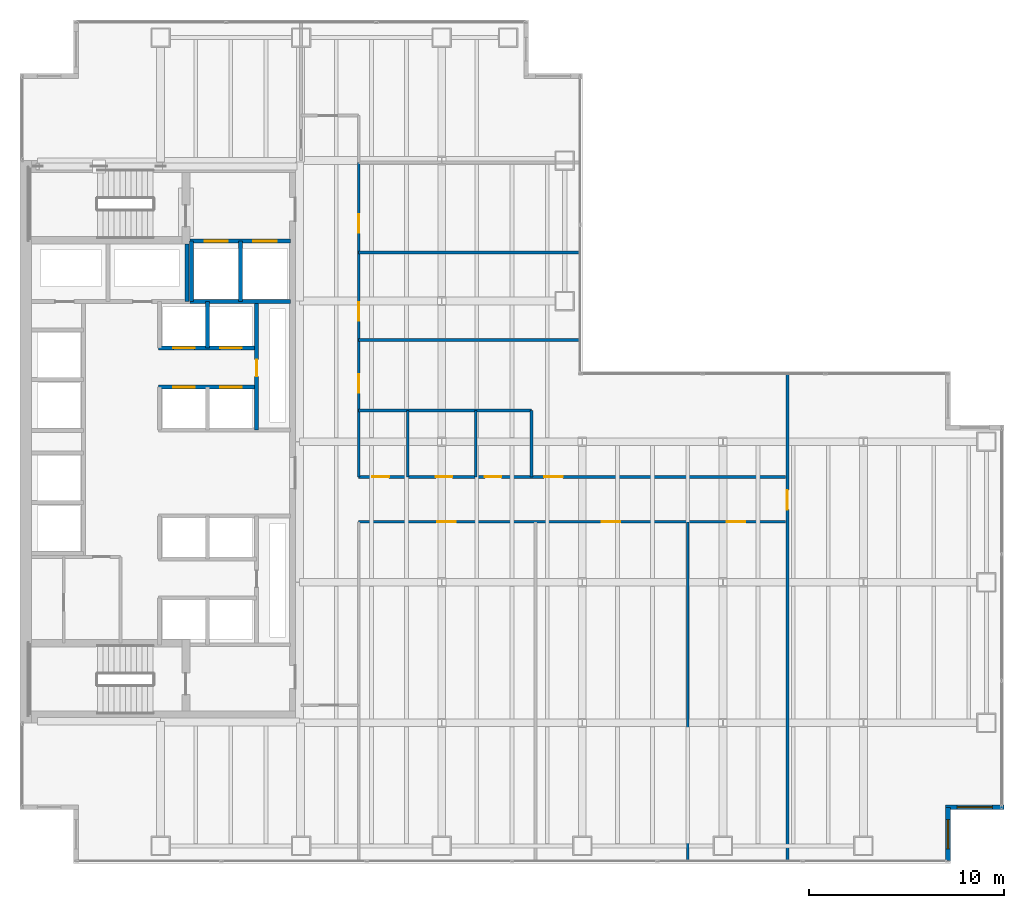
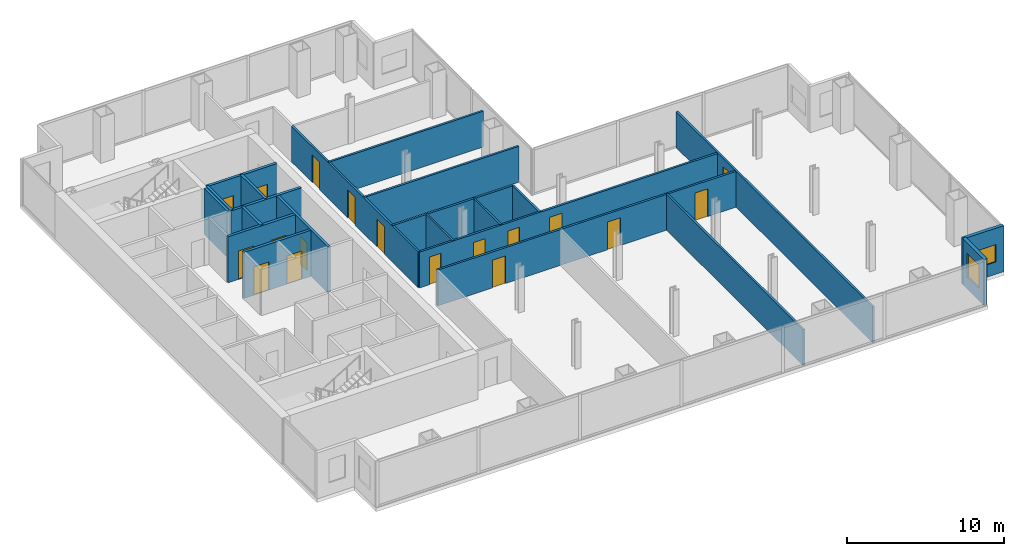
# One storey, part 21 of 23: 22 walls, 18 doors, 2 windows, 20 openings.
"""IFC4 building model written with IfcOpenShell, lengths in metres."""

from ifc_helpers import new_model, si_unit, direction, frame, frame_2d, origin, place, context, subcontext, project, spatial, rectangle, extrude, material, layer, layer_set, type_object, element, fill, save


model = new_model("IFC4")

# Units and contexts
model_context = context("Model", 3, precision=1e-05, world=origin(), true_north=direction((0.0, 1.0)))
body_context = subcontext(model_context, "Body", "Model", "MODEL_VIEW")
ifc_project = project(units=[si_unit("LENGTHUNIT", "METRE"), si_unit("AREAUNIT", "SQUARE_METRE"), si_unit("VOLUMEUNIT", "CUBIC_METRE"), si_unit("PLANEANGLEUNIT", "RADIAN"), si_unit("MASSUNIT", "GRAM", prefix="KILO")], contexts=[model_context])

# Site, building, storey
site_placement = place(None, origin())
site = spatial("IfcSite", under=ifc_project, at=site_placement, CompositionType="ELEMENT")
building_placement = place(site_placement, origin())
building = spatial("IfcBuilding", under=site, at=building_placement, Name="Cobrela Telecom Tower", CompositionType="ELEMENT")
storey_placement = place(building_placement, frame((0.0, 0.0, 73.5)))
storey = spatial("IfcBuildingStorey", under=building, at=storey_placement, Name="L18", CompositionType="ELEMENT", Elevation=73.5)

# Wall, opening, window
ifc_material_1 = material(Name="Concrete C40/50", Category="concrete")
ifc_layer_1 = layer(ifc_material_1, 0.239990234375)
ifc_layer_set_1 = layer_set([ifc_layer_1], Name="Concrete C40/50")
wall_type_1 = type_object("IfcWallType", Name="WALL-EXT-300", PredefinedType="STANDARD", material=ifc_layer_set_1)
wall_1_placement = place(storey_placement, frame((50.39990234375, 2.8701171875, 0.0), z_axis=(0.0, 0.0, 1.0), x_axis=(-1.0, 0.0, 0.0)))
wall_1 = element("IfcWall", 1, at=wall_1_placement, inside=storey, type_object=wall_type_1, Name="L18 Insulated Facade Wall 15", PredefinedType="STANDARD", context=body_context, shape_type="SweptSolid", body=[
    extrude(rectangle(XDim=2.989990234375, YDim=0.239990234375, at=frame_2d((1.4951171875, 0.0))), origin(), (0.0, 0.0, 1.0), 3.570068359375),
])
opening_1_placement = place(wall_1_placement, frame((0.594970703125, 0.0, 0.949951171875)))
opening_1 = element("IfcOpeningElement", 2, at=opening_1_placement, cuts=wall_1, Name="Opening WN-27", PredefinedType="OPENING", context=body_context, shape_type="SweptSolid", body=[
    extrude(rectangle(XDim=1.800048828125, YDim=1.35009765625, at=frame_2d((0.89990234375, 0.675048828125))), frame((0.0, 0.1318359375, 0.0), z_axis=(0.0, -1.0, 0.0), x_axis=(1.0, 0.0, 0.0)), (0.0, 0.0, 1.0), 0.263916015625),
])
ifc_material_2 = material(Name="Solar-Control Bronze Low-E Glass", Category="glass")
window_type_1 = type_object("IfcWindowType", Name="WIN-CLER-1800", PartitioningType="SINGLE_PANEL", PredefinedType="WINDOW", material=ifc_material_2)
window_1_placement = place(opening_1_placement, origin())
window_1 = element("IfcWindow", 3, at=window_1_placement, inside=storey, type_object=window_type_1, Name="L18 Corner Notch Facade Window 088", OverallHeight=1.35009765625, OverallWidth=1.800048828125, PartitioningType="SINGLE_PANEL", PredefinedType="WINDOW", context=body_context, shape_type="SweptSolid", body=[
    extrude(rectangle(XDim=1.800048828125, YDim=1.35009765625, at=frame_2d((0.89990234375, 0.675048828125))), frame((0.0, 0.030029296875, 0.0), z_axis=(0.0, -1.0, 0.0), x_axis=(1.0, 0.0, 0.0)), (0.0, 0.0, 1.0), 0.06005859375),
])
fill(opening_1, window_1)

wall_2_placement = place(storey_placement, frame((47.530029296875, 2.8701171875, 0.0), z_axis=(0.0, 0.0, 1.0), x_axis=(0.0, -1.0, 0.0)))
wall_2 = element("IfcWall", 4, at=wall_2_placement, inside=storey, type_object=wall_type_1, Name="L18 Insulated Facade Wall 16", PredefinedType="STANDARD", context=body_context, shape_type="SweptSolid", body=[
    extrude(rectangle(XDim=2.75, YDim=0.239990234375, at=frame_2d((1.375, 0.0))), origin(), (0.0, 0.0, 1.0), 3.570068359375),
])
opening_2_placement = place(wall_2_placement, frame((0.625, 0.0, 0.949951171875)))
opening_2 = element("IfcOpeningElement", 5, at=opening_2_placement, cuts=wall_2, Name="Opening WN-45", PredefinedType="OPENING", context=body_context, shape_type="SweptSolid", body=[
    extrude(rectangle(XDim=1.5, YDim=1.800048828125, at=frame_2d((0.75, 0.89990234375))), frame((0.0, 0.1318359375, 0.0), z_axis=(0.0, -1.0, 0.0), x_axis=(1.0, 0.0, 0.0)), (0.0, 0.0, 1.0), 0.263916015625),
])
window_type_2 = type_object("IfcWindowType", Name="WIN-MOD-1500", PartitioningType="SINGLE_PANEL", PredefinedType="WINDOW", material=ifc_material_2)
window_2_placement = place(opening_2_placement, origin())
window_2 = element("IfcWindow", 6, at=window_2_placement, inside=storey, type_object=window_type_2, Name="L18 Corner Notch Facade Window 089", OverallHeight=1.800048828125, OverallWidth=1.5, PartitioningType="SINGLE_PANEL", PredefinedType="WINDOW", context=body_context, shape_type="SweptSolid", body=[
    extrude(rectangle(XDim=1.5, YDim=1.800048828125, at=frame_2d((0.75, 0.89990234375))), frame((0.0, 0.030029296875, 0.0), z_axis=(0.0, -1.0, 0.0), x_axis=(1.0, 0.0, 0.0)), (0.0, 0.0, 1.0), 0.06005859375),
])
fill(opening_2, window_2)

# Walls
ifc_material_3 = material(Name="Fire-Rated Gypsum Plasterboard")
ifc_layer_2 = layer(ifc_material_3, 0.125)
ifc_layer_set_2 = layer_set([ifc_layer_2], Name="Fire-Rated Gypsum Plasterboard")
wall_type_2 = type_object("IfcWallType", Name="WALL-PART-125", PredefinedType="PARTITIONING", material=ifc_layer_set_2)
for number, where, z_axis, x_axis, name in (
    (7, (19.85009765625, 19.800048828125, 0.0), (0.0, 0.0, 1.0), (0.0, 1.0, 0.0), "L18 Interior Partition W-WCV-1"),
    (8, (23.35009765625, 19.800048828125, 0.0), (0.0, 0.0, 1.0), (0.0, 1.0, 0.0), "L18 Interior Partition W-WCV-2"),
):
    element("IfcWall", number, at=place(storey_placement, frame(where, z_axis=z_axis, x_axis=x_axis)), inside=storey, type_object=wall_type_2, Name=name, PredefinedType="PARTITIONING", context=body_context, shape_type="SweptSolid", body=[
        extrude(rectangle(XDim=3.39990234375, YDim=0.125, at=frame_2d((1.699951171875, 0.0))), origin(), (0.0, 0.0, 1.0), 2.782958984375),
    ])

# Wall, openings, doors
ifc_layer_3 = layer(ifc_material_3, 0.14990234375)
ifc_layer_set_3 = layer_set([ifc_layer_3], Name="Fire-Rated Gypsum Plasterboard")
wall_type_3 = type_object("IfcWallType", Name="WALL-PART-150", PredefinedType="PARTITIONING", material=ifc_layer_set_3)
wall_3_placement = place(storey_placement, frame((17.35009765625, 19.800048828125, 0.0), z_axis=(0.0, 0.0, 1.0), x_axis=(0.0, 1.0, 0.0)))
wall_3 = element("IfcWall", 9, at=wall_3_placement, inside=storey, type_object=wall_type_3, Name="L18 Interior Partition W-C-E2", PredefinedType="PARTITIONING", context=body_context, shape_type="SweptSolid", body=[
    extrude(rectangle(XDim=16.099853515625, YDim=0.14990234375, at=frame_2d((8.0498046875, 0.0))), origin(), (0.0, 0.0, 1.0), 2.782958984375),
])
opening_3_placement = place(wall_3_placement, frame((4.300048828125, 0.0, 0.0)))
opening_3 = element("IfcOpeningElement", 10, at=opening_3_placement, cuts=wall_3, Name="Opening DR-67", PredefinedType="OPENING", context=body_context, shape_type="SweptSolid", body=[
    extrude(rectangle(XDim=0.949951171875, YDim=2.14990234375, at=frame_2d((0.47509765625, 1.074951171875))), frame((0.0, 0.0869140625, 0.0), z_axis=(0.0, -1.0, 0.0), x_axis=(1.0, 0.0, 0.0)), (0.0, 0.0, 1.0), 0.173828125),
])
opening_4_placement = place(wall_3_placement, frame((8.0, 0.0, 0.0)))
opening_4 = element("IfcOpeningElement", 11, at=opening_4_placement, cuts=wall_3, Name="Opening DR-67", PredefinedType="OPENING", context=body_context, shape_type="SweptSolid", body=[
    extrude(rectangle(XDim=0.949951171875, YDim=2.14990234375, at=frame_2d((0.47509765625, 1.074951171875))), frame((0.0, 0.0869140625, 0.0), z_axis=(0.0, -1.0, 0.0), x_axis=(1.0, 0.0, 0.0)), (0.0, 0.0, 1.0), 0.173828125),
])
opening_5_placement = place(wall_3_placement, frame((12.5, 0.0, 0.0)))
opening_5 = element("IfcOpeningElement", 12, at=opening_5_placement, cuts=wall_3, Name="Opening DR-67", PredefinedType="OPENING", context=body_context, shape_type="SweptSolid", body=[
    extrude(rectangle(XDim=0.949951171875, YDim=2.14990234375, at=frame_2d((0.47509765625, 1.074951171875))), frame((0.0, 0.0869140625, 0.0), z_axis=(0.0, -1.0, 0.0), x_axis=(1.0, 0.0, 0.0)), (0.0, 0.0, 1.0), 0.173828125),
])
ifc_material_4 = material(Name="Solid Engineered Oak Timber", Category="wood")
door_type_1 = type_object("IfcDoorType", Name="DOOR-INT-950", OperationType="SINGLE_SWING_LEFT", PredefinedType="DOOR", material=ifc_material_4)
door_1_placement = place(opening_3_placement, origin())
door_1 = element("IfcDoor", 13, at=door_1_placement, inside=storey, type_object=door_type_1, Name="L18 Door DR-67", OperationType="SINGLE_SWING_RIGHT", OverallHeight=2.14990234375, OverallWidth=0.949951171875, PredefinedType="DOOR", context=body_context, shape_type="SweptSolid", body=[
    extrude(rectangle(XDim=0.949951171875, YDim=2.14990234375, at=frame_2d((0.47509765625, 1.074951171875))), frame((0.0, 0.02490234375, 0.0), z_axis=(0.0, -1.0, 0.0), x_axis=(1.0, 0.0, 0.0)), (0.0, 0.0, 1.0), 0.050048828125),
])
fill(opening_3, door_1)
door_2_placement = place(opening_4_placement, origin())
door_2 = element("IfcDoor", 14, at=door_2_placement, inside=storey, type_object=door_type_1, Name="L18 Door DR-67", OperationType="SINGLE_SWING_LEFT", OverallHeight=2.14990234375, OverallWidth=0.949951171875, PredefinedType="DOOR", context=body_context, shape_type="SweptSolid", body=[
    extrude(rectangle(XDim=0.949951171875, YDim=2.14990234375, at=frame_2d((0.47509765625, 1.074951171875))), frame((0.0, 0.02490234375, 0.0), z_axis=(0.0, -1.0, 0.0), x_axis=(1.0, 0.0, 0.0)), (0.0, 0.0, 1.0), 0.050048828125),
])
fill(opening_4, door_2)
door_3_placement = place(opening_5_placement, origin())
door_3 = element("IfcDoor", 15, at=door_3_placement, inside=storey, type_object=door_type_1, Name="L18 Door DR-67", OperationType="SINGLE_SWING_RIGHT", OverallHeight=2.14990234375, OverallWidth=0.949951171875, PredefinedType="DOOR", context=body_context, shape_type="SweptSolid", body=[
    extrude(rectangle(XDim=0.949951171875, YDim=2.14990234375, at=frame_2d((0.47509765625, 1.074951171875))), frame((0.0, 0.02490234375, 0.0), z_axis=(0.0, -1.0, 0.0), x_axis=(1.0, 0.0, 0.0)), (0.0, 0.0, 1.0), 0.050048828125),
])
fill(opening_5, door_3)

wall_4_placement = place(storey_placement, frame((17.35009765625, 17.5, 0.0), z_axis=(0.0, 0.0, 1.0), x_axis=(1.0, 0.0, 0.0)))
wall_4 = element("IfcWall", 16, at=wall_4_placement, inside=storey, type_object=wall_type_3, Name="L18 Interior Partition W-C-HS", PredefinedType="PARTITIONING", context=body_context, shape_type="SweptSolid", body=[
    extrude(rectangle(XDim=21.849853515625, YDim=0.14990234375, at=frame_2d((10.9248046875, 0.0))), origin(), (0.0, 0.0, 1.0), 2.782958984375),
])
opening_6_placement = place(wall_4_placement, frame((4.02001953125, 0.0, 0.0)))
opening_6 = element("IfcOpeningElement", 17, at=opening_6_placement, cuts=wall_4, Name="Opening DR-67", PredefinedType="OPENING", context=body_context, shape_type="SweptSolid", body=[
    extrude(rectangle(XDim=0.949951171875, YDim=2.14990234375, at=frame_2d((0.47509765625, 1.074951171875))), frame((0.0, 0.0869140625, 0.0), z_axis=(0.0, -1.0, 0.0), x_axis=(1.0, 0.0, 0.0)), (0.0, 0.0, 1.0), 0.173828125),
])
opening_7_placement = place(wall_4_placement, frame((12.449951171875, 0.0, 0.0)))
opening_7 = element("IfcOpeningElement", 18, at=opening_7_placement, cuts=wall_4, Name="Opening DR-67", PredefinedType="OPENING", context=body_context, shape_type="SweptSolid", body=[
    extrude(rectangle(XDim=0.949951171875, YDim=2.14990234375, at=frame_2d((0.47509765625, 1.074951171875))), frame((0.0, 0.0869140625, 0.0), z_axis=(0.0, -1.0, 0.0), x_axis=(1.0, 0.0, 0.0)), (0.0, 0.0, 1.0), 0.173828125),
])
opening_8_placement = place(wall_4_placement, frame((18.85009765625, 0.0, 0.0)))
opening_8 = element("IfcOpeningElement", 19, at=opening_8_placement, cuts=wall_4, Name="Opening DR-67", PredefinedType="OPENING", context=body_context, shape_type="SweptSolid", body=[
    extrude(rectangle(XDim=0.949951171875, YDim=2.14990234375, at=frame_2d((0.47509765625, 1.074951171875))), frame((0.0, 0.0869140625, 0.0), z_axis=(0.0, -1.0, 0.0), x_axis=(1.0, 0.0, 0.0)), (0.0, 0.0, 1.0), 0.173828125),
])
door_4_placement = place(opening_6_placement, origin())
door_4 = element("IfcDoor", 20, at=door_4_placement, inside=storey, type_object=door_type_1, Name="L18 Door DR-67", OperationType="SINGLE_SWING_LEFT", OverallHeight=2.14990234375, OverallWidth=0.949951171875, PredefinedType="DOOR", context=body_context, shape_type="SweptSolid", body=[
    extrude(rectangle(XDim=0.949951171875, YDim=2.14990234375, at=frame_2d((0.47509765625, 1.074951171875))), frame((0.0, 0.02490234375, 0.0), z_axis=(0.0, -1.0, 0.0), x_axis=(1.0, 0.0, 0.0)), (0.0, 0.0, 1.0), 0.050048828125),
])
fill(opening_6, door_4)
door_5_placement = place(opening_7_placement, origin())
door_5 = element("IfcDoor", 21, at=door_5_placement, inside=storey, type_object=door_type_1, Name="L18 Door DR-67", OperationType="SINGLE_SWING_RIGHT", OverallHeight=2.14990234375, OverallWidth=0.949951171875, PredefinedType="DOOR", context=body_context, shape_type="SweptSolid", body=[
    extrude(rectangle(XDim=0.949951171875, YDim=2.14990234375, at=frame_2d((0.47509765625, 1.074951171875))), frame((0.0, 0.02490234375, 0.0), z_axis=(0.0, -1.0, 0.0), x_axis=(1.0, 0.0, 0.0)), (0.0, 0.0, 1.0), 0.050048828125),
])
fill(opening_7, door_5)
door_6_placement = place(opening_8_placement, origin())
door_6 = element("IfcDoor", 22, at=door_6_placement, inside=storey, type_object=door_type_1, Name="L18 Door DR-67", OperationType="SINGLE_SWING_LEFT", OverallHeight=2.14990234375, OverallWidth=0.949951171875, PredefinedType="DOOR", context=body_context, shape_type="SweptSolid", body=[
    extrude(rectangle(XDim=0.949951171875, YDim=2.14990234375, at=frame_2d((0.47509765625, 1.074951171875))), frame((0.0, 0.02490234375, 0.0), z_axis=(0.0, -1.0, 0.0), x_axis=(1.0, 0.0, 0.0)), (0.0, 0.0, 1.0), 0.050048828125),
])
fill(opening_8, door_6)

wall_5_placement = place(storey_placement, frame((17.35009765625, 19.800048828125, 0.0), z_axis=(0.0, 0.0, 1.0), x_axis=(1.0, 0.0, 0.0)))
wall_5 = element("IfcWall", 23, at=wall_5_placement, inside=storey, type_object=wall_type_3, Name="L18 Interior Partition W-C-HN", PredefinedType="PARTITIONING", context=body_context, shape_type="SweptSolid", body=[
    extrude(rectangle(XDim=21.849853515625, YDim=0.14990234375, at=frame_2d((10.9248046875, 0.0))), origin(), (0.0, 0.0, 1.0), 2.782958984375),
])
opening_9_placement = place(wall_5_placement, frame((0.699951171875, 0.0, 0.0)))
opening_9 = element("IfcOpeningElement", 24, at=opening_9_placement, cuts=wall_5, Name="Opening DR-11", PredefinedType="OPENING", context=body_context, shape_type="SweptSolid", body=[
    extrude(rectangle(XDim=0.85009765625, YDim=2.14990234375, at=frame_2d((0.425048828125, 1.074951171875))), frame((0.0, 0.0869140625, 0.0), z_axis=(0.0, -1.0, 0.0), x_axis=(1.0, 0.0, 0.0)), (0.0, 0.0, 1.0), 0.173828125),
])
opening_10_placement = place(wall_5_placement, frame((3.949951171875, 0.0, 0.0)))
opening_10 = element("IfcOpeningElement", 25, at=opening_10_placement, cuts=wall_5, Name="Opening DR-11", PredefinedType="OPENING", context=body_context, shape_type="SweptSolid", body=[
    extrude(rectangle(XDim=0.85009765625, YDim=2.14990234375, at=frame_2d((0.425048828125, 1.074951171875))), frame((0.0, 0.0869140625, 0.0), z_axis=(0.0, -1.0, 0.0), x_axis=(1.0, 0.0, 0.0)), (0.0, 0.0, 1.0), 0.173828125),
])
opening_11_placement = place(wall_5_placement, frame((6.4599609375, 0.0, 0.0)))
opening_11 = element("IfcOpeningElement", 26, at=opening_11_placement, cuts=wall_5, Name="Opening DR-11", PredefinedType="OPENING", context=body_context, shape_type="SweptSolid", body=[
    extrude(rectangle(XDim=0.85009765625, YDim=2.14990234375, at=frame_2d((0.425048828125, 1.074951171875))), frame((0.0, 0.0869140625, 0.0), z_axis=(0.0, -1.0, 0.0), x_axis=(1.0, 0.0, 0.0)), (0.0, 0.0, 1.0), 0.173828125),
])
opening_12_placement = place(wall_5_placement, frame((9.5, 0.0, 0.0)))
opening_12 = element("IfcOpeningElement", 27, at=opening_12_placement, cuts=wall_5, Name="Opening DR-67", PredefinedType="OPENING", context=body_context, shape_type="SweptSolid", body=[
    extrude(rectangle(XDim=0.949951171875, YDim=2.14990234375, at=frame_2d((0.47509765625, 1.074951171875))), frame((0.0, 0.0869140625, 0.0), z_axis=(0.0, -1.0, 0.0), x_axis=(1.0, 0.0, 0.0)), (0.0, 0.0, 1.0), 0.173828125),
])
door_type_2 = type_object("IfcDoorType", Name="DOOR-INT-850", OperationType="SINGLE_SWING_LEFT", PredefinedType="DOOR", material=ifc_material_4)
door_7_placement = place(opening_9_placement, origin())
door_7 = element("IfcDoor", 28, at=door_7_placement, inside=storey, type_object=door_type_2, Name="L18 Door DR-11", OperationType="SINGLE_SWING_LEFT", OverallHeight=2.14990234375, OverallWidth=0.85009765625, PredefinedType="DOOR", context=body_context, shape_type="SweptSolid", body=[
    extrude(rectangle(XDim=0.85009765625, YDim=2.14990234375, at=frame_2d((0.425048828125, 1.074951171875))), frame((0.0, 0.02490234375, 0.0), z_axis=(0.0, -1.0, 0.0), x_axis=(1.0, 0.0, 0.0)), (0.0, 0.0, 1.0), 0.050048828125),
])
fill(opening_9, door_7)
door_8_placement = place(opening_10_placement, origin())
door_8 = element("IfcDoor", 29, at=door_8_placement, inside=storey, type_object=door_type_2, Name="L18 Door DR-11", OperationType="SINGLE_SWING_RIGHT", OverallHeight=2.14990234375, OverallWidth=0.85009765625, PredefinedType="DOOR", context=body_context, shape_type="SweptSolid", body=[
    extrude(rectangle(XDim=0.85009765625, YDim=2.14990234375, at=frame_2d((0.425048828125, 1.074951171875))), frame((0.0, 0.02490234375, 0.0), z_axis=(0.0, -1.0, 0.0), x_axis=(1.0, 0.0, 0.0)), (0.0, 0.0, 1.0), 0.050048828125),
])
fill(opening_10, door_8)
door_9_placement = place(opening_11_placement, origin())
door_9 = element("IfcDoor", 30, at=door_9_placement, inside=storey, type_object=door_type_2, Name="L18 Door DR-11", OperationType="SINGLE_SWING_LEFT", OverallHeight=2.14990234375, OverallWidth=0.85009765625, PredefinedType="DOOR", context=body_context, shape_type="SweptSolid", body=[
    extrude(rectangle(XDim=0.85009765625, YDim=2.14990234375, at=frame_2d((0.425048828125, 1.074951171875))), frame((0.0, 0.02490234375, 0.0), z_axis=(0.0, -1.0, 0.0), x_axis=(1.0, 0.0, 0.0)), (0.0, 0.0, 1.0), 0.050048828125),
])
fill(opening_11, door_9)
door_10_placement = place(opening_12_placement, origin())
door_10 = element("IfcDoor", 31, at=door_10_placement, inside=storey, type_object=door_type_1, Name="L18 Door DR-67", OperationType="SINGLE_SWING_RIGHT", OverallHeight=2.14990234375, OverallWidth=0.949951171875, PredefinedType="DOOR", context=body_context, shape_type="SweptSolid", body=[
    extrude(rectangle(XDim=0.949951171875, YDim=2.14990234375, at=frame_2d((0.47509765625, 1.074951171875))), frame((0.0, 0.02490234375, 0.0), z_axis=(0.0, -1.0, 0.0), x_axis=(1.0, 0.0, 0.0)), (0.0, 0.0, 1.0), 0.050048828125),
])
fill(opening_12, door_10)

# Wall, opening, door
wall_6_placement = place(storey_placement, frame((39.300048828125, 0.1201171875, 0.0), z_axis=(0.0, 0.0, 1.0), x_axis=(0.0, 1.0, 0.0)))
wall_6 = element("IfcWall", 32, at=wall_6_placement, inside=storey, type_object=wall_type_3, Name="L18 Interior Partition W-C-END", PredefinedType="PARTITIONING", context=body_context, shape_type="SweptSolid", body=[
    extrude(rectangle(XDim=24.9599609375, YDim=0.14990234375, at=frame_2d((12.47998046875, 0.0))), origin(), (0.0, 0.0, 1.0), 2.782958984375),
])
opening_13_placement = place(wall_6_placement, frame((18.0, 0.0, 0.0)))
opening_13 = element("IfcOpeningElement", 33, at=opening_13_placement, cuts=wall_6, Name="Opening DR-31", PredefinedType="OPENING", context=body_context, shape_type="SweptSolid", body=[
    extrude(rectangle(XDim=1.0, YDim=2.14990234375, at=frame_2d((0.5, 1.074951171875))), frame((0.0, 0.0869140625, 0.0), z_axis=(0.0, -1.0, 0.0), x_axis=(1.0, 0.0, 0.0)), (0.0, 0.0, 1.0), 0.173828125),
])
door_type_3 = type_object("IfcDoorType", Name="DOOR-INT-1000", OperationType="SINGLE_SWING_LEFT", PredefinedType="DOOR", material=ifc_material_4)
door_11_placement = place(opening_13_placement, origin())
door_11 = element("IfcDoor", 34, at=door_11_placement, inside=storey, type_object=door_type_3, Name="L18 Door DR-31", OperationType="SINGLE_SWING_LEFT", OverallHeight=2.14990234375, OverallWidth=1.0, PredefinedType="DOOR", context=body_context, shape_type="SweptSolid", body=[
    extrude(rectangle(XDim=1.0, YDim=2.14990234375, at=frame_2d((0.5, 1.074951171875))), frame((0.0, 0.02490234375, 0.0), z_axis=(0.0, -1.0, 0.0), x_axis=(1.0, 0.0, 0.0)), (0.0, 0.0, 1.0), 0.050048828125),
])
fill(opening_13, door_11)

# Walls
wall_7_placement = place(storey_placement, frame((17.35009765625, 23.199951171875, 0.0), z_axis=(0.0, 0.0, 1.0), x_axis=(1.0, 0.0, 0.0)))
element("IfcWall", 35, at=wall_7_placement, inside=storey, type_object=wall_type_3, Name="L18 Interior Partition W-WC-N", PredefinedType="PARTITIONING", context=body_context, shape_type="SweptSolid", body=[
    extrude(rectangle(XDim=8.849853515625, YDim=0.14990234375, at=frame_2d((4.4248046875, 0.0))), origin(), (0.0, 0.0, 1.0), 2.782958984375),
])
wall_8_placement = place(storey_placement, frame((26.199951171875, 19.800048828125, 0.0), z_axis=(0.0, 0.0, 1.0), x_axis=(0.0, 1.0, 0.0)))
element("IfcWall", 36, at=wall_8_placement, inside=storey, type_object=wall_type_3, Name="L18 Interior Partition W-WC-R", PredefinedType="PARTITIONING", context=body_context, shape_type="SweptSolid", body=[
    extrude(rectangle(XDim=3.39990234375, YDim=0.14990234375, at=frame_2d((1.699951171875, 0.0))), origin(), (0.0, 0.0, 1.0), 2.782958984375),
])
for number, where, z_axis, x_axis, name in (
    (37, (17.35009765625, 26.800048828125, 0.0), (0.0, 0.0, 1.0), (1.0, 0.0, 0.0), "L18 Interior Partition W-NPAN-T"),
    (38, (17.35009765625, 31.300048828125, 0.0), (0.0, 0.0, 1.0), (1.0, 0.0, 0.0), "L18 Interior Partition W-NT-M"),
):
    element("IfcWall", number, at=place(storey_placement, frame(where, z_axis=z_axis, x_axis=x_axis)), inside=storey, type_object=wall_type_3, Name=name, PredefinedType="PARTITIONING", context=body_context, shape_type="SweptSolid", body=[
        extrude(rectangle(XDim=11.329833984375, YDim=0.14990234375, at=frame_2d((5.6650390625, 0.0))), origin(), (0.0, 0.0, 1.0), 2.782958984375),
    ])
wall_9_placement = place(storey_placement, frame((34.199951171875, 0.1201171875, 0.0), z_axis=(0.0, 0.0, 1.0), x_axis=(0.0, 1.0, 0.0)))
element("IfcWall", 39, at=wall_9_placement, inside=storey, type_object=wall_type_3, Name="L18 Interior Partition W-SV-2", PredefinedType="PARTITIONING", context=body_context, shape_type="SweptSolid", body=[
    extrude(rectangle(XDim=17.3798828125, YDim=0.14990234375, at=frame_2d((8.68994140625, 0.0))), origin(), (0.0, 0.0, 1.0), 2.782958984375),
])

# Wall, openings, doors
ifc_layer_4 = layer(ifc_material_3, 0.199951171875)
ifc_layer_set_4 = layer_set([ifc_layer_4], Name="Fire-Rated Gypsum Plasterboard")
wall_type_4 = type_object("IfcWallType", Name="WALL-SHAFT-200", PredefinedType="PARTITIONING", material=ifc_layer_set_4)
wall_10_placement = place(storey_placement, frame((8.699951171875, 31.8798828125, 0.0), z_axis=(0.0, 0.0, 1.0), x_axis=(1.0, 0.0, 0.0)))
wall_10 = element("IfcWall", 40, at=wall_10_placement, inside=storey, type_object=wall_type_4, Name="L18 Shaft Enclosure CW-FFL-S", PredefinedType="PARTITIONING", context=body_context, shape_type="SweptSolid", body=[
    extrude(rectangle(XDim=5.150146484375, YDim=0.199951171875, at=frame_2d((2.5751953125, 0.0))), origin(), (0.0, 0.0, 1.0), 3.570068359375),
])
opening_14_placement = place(wall_10_placement, frame((0.75, 0.0, 0.0)))
opening_14 = element("IfcOpeningElement", 41, at=opening_14_placement, cuts=wall_10, Name="Opening LD-2", PredefinedType="OPENING", context=body_context, shape_type="SweptSolid", body=[
    extrude(rectangle(XDim=1.199951171875, YDim=2.199951171875, at=frame_2d((0.60009765625, 1.10009765625))), frame((0.0, 0.11181640625, 0.0), z_axis=(0.0, -1.0, 0.0), x_axis=(1.0, 0.0, 0.0)), (0.0, 0.0, 1.0), 0.223876953125),
])
opening_15_placement = place(wall_10_placement, frame((3.25, 0.0, 0.0)))
opening_15 = element("IfcOpeningElement", 42, at=opening_15_placement, cuts=wall_10, Name="Opening LD-2", PredefinedType="OPENING", context=body_context, shape_type="SweptSolid", body=[
    extrude(rectangle(XDim=1.199951171875, YDim=2.199951171875, at=frame_2d((0.60009765625, 1.10009765625))), frame((0.0, 0.11181640625, 0.0), z_axis=(0.0, -1.0, 0.0), x_axis=(1.0, 0.0, 0.0)), (0.0, 0.0, 1.0), 0.223876953125),
])
ifc_material_5 = material(Name="Steel ASTM A36", Category="steel")
door_type_4 = type_object("IfcDoorType", Name="DOOR-LD-FFL", OperationType="SINGLE_SWING_LEFT", PredefinedType="DOOR", material=ifc_material_5)
door_12_placement = place(opening_14_placement, origin())
door_12 = element("IfcDoor", 43, at=door_12_placement, inside=storey, type_object=door_type_4, Name="L18 Lift Landing Door LD-2", OperationType="DOUBLE_DOOR_SLIDING", OverallHeight=2.199951171875, OverallWidth=1.199951171875, PredefinedType="DOOR", context=body_context, shape_type="SweptSolid", body=[
    extrude(rectangle(XDim=1.199951171875, YDim=2.199951171875, at=frame_2d((0.60009765625, 1.10009765625))), frame((0.0, 0.02490234375, 0.0), z_axis=(0.0, -1.0, 0.0), x_axis=(1.0, 0.0, 0.0)), (0.0, 0.0, 1.0), 0.050048828125),
])
fill(opening_14, door_12)
door_13_placement = place(opening_15_placement, origin())
door_13 = element("IfcDoor", 44, at=door_13_placement, inside=storey, type_object=door_type_4, Name="L18 Lift Landing Door LD-2", OperationType="DOUBLE_DOOR_SLIDING", OverallHeight=2.199951171875, OverallWidth=1.199951171875, PredefinedType="DOOR", context=body_context, shape_type="SweptSolid", body=[
    extrude(rectangle(XDim=1.199951171875, YDim=2.199951171875, at=frame_2d((0.60009765625, 1.10009765625))), frame((0.0, 0.02490234375, 0.0), z_axis=(0.0, -1.0, 0.0), x_axis=(1.0, 0.0, 0.0)), (0.0, 0.0, 1.0), 0.050048828125),
])
fill(opening_15, door_13)

# Walls
wall_11_placement = place(storey_placement, frame((8.699951171875, 28.780029296875, 0.0), z_axis=(0.0, 0.0, 1.0), x_axis=(1.0, 0.0, 0.0)))
element("IfcWall", 45, at=wall_11_placement, inside=storey, type_object=wall_type_4, Name="L18 Shaft Enclosure CW-FFL-S2", PredefinedType="PARTITIONING", context=body_context, shape_type="SweptSolid", body=[
    extrude(rectangle(XDim=5.150146484375, YDim=0.199951171875, at=frame_2d((2.5751953125, 0.0))), origin(), (0.0, 0.0, 1.0), 3.570068359375),
])
for number, where, z_axis, x_axis, name in (
    (46, (8.780029296875, 28.780029296875, 0.0), (0.0, 0.0, 1.0), (0.0, 1.0, 0.0), "L18 Shaft Enclosure CW-FFL-W"),
    (47, (11.300048828125, 28.780029296875, 0.0), (0.0, 0.0, 1.0), (0.0, 1.0, 0.0), "L18 Shaft Enclosure CW-FFL-M"),
):
    element("IfcWall", number, at=place(storey_placement, frame(where, z_axis=z_axis, x_axis=x_axis)), inside=storey, type_object=wall_type_4, Name=name, PredefinedType="PARTITIONING", context=body_context, shape_type="SweptSolid", body=[
        extrude(rectangle(XDim=3.099853515625, YDim=0.199951171875, at=frame_2d((1.5498046875, 0.0))), origin(), (0.0, 0.0, 1.0), 3.570068359375),
    ])
wall_12_placement = place(storey_placement, frame((8.550048828125, 28.780029296875, 0.0), z_axis=(0.0, 0.0, 1.0), x_axis=(0.0, 1.0, 0.0)))
element("IfcWall", 48, at=wall_12_placement, inside=storey, type_object=wall_type_4, Name="L18 Shaft Enclosure CW-RIS-E", PredefinedType="PARTITIONING", context=body_context, shape_type="SweptSolid", body=[
    extrude(rectangle(XDim=2.93994140625, YDim=0.199951171875, at=frame_2d((1.469970703125, 0.0))), origin(), (0.0, 0.0, 1.0), 3.570068359375),
])

# Wall, openings, doors
wall_13_placement = place(storey_placement, frame((7.10009765625, 24.39990234375, 0.0), z_axis=(0.0, 0.0, 1.0), x_axis=(1.0, 0.0, 0.0)))
wall_13 = element("IfcWall", 49, at=wall_13_placement, inside=storey, type_object=wall_type_4, Name="L18 Shaft Enclosure CW-PLL-S", PredefinedType="PARTITIONING", context=body_context, shape_type="SweptSolid", body=[
    extrude(rectangle(XDim=5.02001953125, YDim=0.199951171875, at=frame_2d((2.510009765625, 0.0))), origin(), (0.0, 0.0, 1.0), 3.570068359375),
])
opening_16_placement = place(wall_13_placement, frame((0.75, 0.0, 0.0)))
opening_16 = element("IfcOpeningElement", 50, at=opening_16_placement, cuts=wall_13, Name="Opening LD-1", PredefinedType="OPENING", context=body_context, shape_type="SweptSolid", body=[
    extrude(rectangle(XDim=1.10009765625, YDim=2.199951171875, at=frame_2d((0.550048828125, 1.10009765625))), frame((0.0, 0.11181640625, 0.0), z_axis=(0.0, -1.0, 0.0), x_axis=(1.0, 0.0, 0.0)), (0.0, 0.0, 1.0), 0.223876953125),
])
opening_17_placement = place(wall_13_placement, frame((3.14990234375, 0.0, 0.0)))
opening_17 = element("IfcOpeningElement", 51, at=opening_17_placement, cuts=wall_13, Name="Opening LD-1", PredefinedType="OPENING", context=body_context, shape_type="SweptSolid", body=[
    extrude(rectangle(XDim=1.10009765625, YDim=2.199951171875, at=frame_2d((0.550048828125, 1.10009765625))), frame((0.0, 0.11181640625, 0.0), z_axis=(0.0, -1.0, 0.0), x_axis=(1.0, 0.0, 0.0)), (0.0, 0.0, 1.0), 0.223876953125),
])
door_type_5 = type_object("IfcDoorType", Name="DOOR-LD-PL", OperationType="SINGLE_SWING_LEFT", PredefinedType="DOOR", material=ifc_material_5)
door_14_placement = place(opening_16_placement, origin())
door_14 = element("IfcDoor", 52, at=door_14_placement, inside=storey, type_object=door_type_5, Name="L18 Lift Landing Door LD-1", OperationType="DOUBLE_DOOR_SLIDING", OverallHeight=2.199951171875, OverallWidth=1.10009765625, PredefinedType="DOOR", context=body_context, shape_type="SweptSolid", body=[
    extrude(rectangle(XDim=1.10009765625, YDim=2.199951171875, at=frame_2d((0.550048828125, 1.10009765625))), frame((0.0, 0.02490234375, 0.0), z_axis=(0.0, -1.0, 0.0), x_axis=(1.0, 0.0, 0.0)), (0.0, 0.0, 1.0), 0.050048828125),
])
fill(opening_16, door_14)
door_15_placement = place(opening_17_placement, origin())
door_15 = element("IfcDoor", 53, at=door_15_placement, inside=storey, type_object=door_type_5, Name="L18 Lift Landing Door LD-1", OperationType="DOUBLE_DOOR_SLIDING", OverallHeight=2.199951171875, OverallWidth=1.10009765625, PredefinedType="DOOR", context=body_context, shape_type="SweptSolid", body=[
    extrude(rectangle(XDim=1.10009765625, YDim=2.199951171875, at=frame_2d((0.550048828125, 1.10009765625))), frame((0.0, 0.02490234375, 0.0), z_axis=(0.0, -1.0, 0.0), x_axis=(1.0, 0.0, 0.0)), (0.0, 0.0, 1.0), 0.050048828125),
])
fill(opening_17, door_15)

wall_14_placement = place(storey_placement, frame((7.10009765625, 26.39990234375, 0.0), z_axis=(0.0, 0.0, 1.0), x_axis=(1.0, 0.0, 0.0)))
wall_14 = element("IfcWall", 54, at=wall_14_placement, inside=storey, type_object=wall_type_4, Name="L18 Shaft Enclosure CW-PLL-N", PredefinedType="PARTITIONING", context=body_context, shape_type="SweptSolid", body=[
    extrude(rectangle(XDim=5.02001953125, YDim=0.199951171875, at=frame_2d((2.510009765625, 0.0))), origin(), (0.0, 0.0, 1.0), 3.570068359375),
])
opening_18_placement = place(wall_14_placement, frame((0.75, 0.0, 0.0)))
opening_18 = element("IfcOpeningElement", 55, at=opening_18_placement, cuts=wall_14, Name="Opening LD-1", PredefinedType="OPENING", context=body_context, shape_type="SweptSolid", body=[
    extrude(rectangle(XDim=1.10009765625, YDim=2.199951171875, at=frame_2d((0.550048828125, 1.10009765625))), frame((0.0, 0.11181640625, 0.0), z_axis=(0.0, -1.0, 0.0), x_axis=(1.0, 0.0, 0.0)), (0.0, 0.0, 1.0), 0.223876953125),
])
opening_19_placement = place(wall_14_placement, frame((3.14990234375, 0.0, 0.0)))
opening_19 = element("IfcOpeningElement", 56, at=opening_19_placement, cuts=wall_14, Name="Opening LD-1", PredefinedType="OPENING", context=body_context, shape_type="SweptSolid", body=[
    extrude(rectangle(XDim=1.10009765625, YDim=2.199951171875, at=frame_2d((0.550048828125, 1.10009765625))), frame((0.0, 0.11181640625, 0.0), z_axis=(0.0, -1.0, 0.0), x_axis=(1.0, 0.0, 0.0)), (0.0, 0.0, 1.0), 0.223876953125),
])
door_16_placement = place(opening_18_placement, origin())
door_16 = element("IfcDoor", 57, at=door_16_placement, inside=storey, type_object=door_type_5, Name="L18 Lift Landing Door LD-1", OperationType="DOUBLE_DOOR_SLIDING", OverallHeight=2.199951171875, OverallWidth=1.10009765625, PredefinedType="DOOR", context=body_context, shape_type="SweptSolid", body=[
    extrude(rectangle(XDim=1.10009765625, YDim=2.199951171875, at=frame_2d((0.550048828125, 1.10009765625))), frame((0.0, 0.02490234375, 0.0), z_axis=(0.0, -1.0, 0.0), x_axis=(1.0, 0.0, 0.0)), (0.0, 0.0, 1.0), 0.050048828125),
])
fill(opening_18, door_16)
door_17_placement = place(opening_19_placement, origin())
door_17 = element("IfcDoor", 58, at=door_17_placement, inside=storey, type_object=door_type_5, Name="L18 Lift Landing Door LD-1", OperationType="DOUBLE_DOOR_SLIDING", OverallHeight=2.199951171875, OverallWidth=1.10009765625, PredefinedType="DOOR", context=body_context, shape_type="SweptSolid", body=[
    extrude(rectangle(XDim=1.10009765625, YDim=2.199951171875, at=frame_2d((0.550048828125, 1.10009765625))), frame((0.0, 0.02490234375, 0.0), z_axis=(0.0, -1.0, 0.0), x_axis=(1.0, 0.0, 0.0)), (0.0, 0.0, 1.0), 0.050048828125),
])
fill(opening_19, door_17)

# Wall
wall_15_placement = place(storey_placement, frame((9.60009765625, 26.39990234375, 0.0), z_axis=(0.0, 0.0, 1.0), x_axis=(0.0, 1.0, 0.0)))
element("IfcWall", 59, at=wall_15_placement, inside=storey, type_object=wall_type_4, Name="L18 Shaft Enclosure CW-PLL-V2B", PredefinedType="PARTITIONING", context=body_context, shape_type="SweptSolid", body=[
    extrude(rectangle(XDim=2.380126953125, YDim=0.199951171875, at=frame_2d((1.18994140625, 0.0))), origin(), (0.0, 0.0, 1.0), 3.570068359375),
])

# Wall, opening, door
wall_16_placement = place(storey_placement, frame((12.1201171875, 22.199951171875, 0.0), z_axis=(0.0, 0.0, 1.0), x_axis=(0.0, 1.0, 0.0)))
wall_16 = element("IfcWall", 60, at=wall_16_placement, inside=storey, type_object=wall_type_4, Name="L18 Shaft Enclosure CW-PLL-V3", PredefinedType="PARTITIONING", context=body_context, shape_type="SweptSolid", body=[
    extrude(rectangle(XDim=6.580078125, YDim=0.199951171875, at=frame_2d((3.2900390625, 0.0))), origin(), (0.0, 0.0, 1.0), 3.570068359375),
])
opening_20_placement = place(wall_16_placement, frame((2.75, 0.0, 0.0)))
opening_20 = element("IfcOpeningElement", 61, at=opening_20_placement, cuts=wall_16, Name="Opening DR-11", PredefinedType="OPENING", context=body_context, shape_type="SweptSolid", body=[
    extrude(rectangle(XDim=0.85009765625, YDim=2.14990234375, at=frame_2d((0.425048828125, 1.074951171875))), frame((0.0, 0.11181640625, 0.0), z_axis=(0.0, -1.0, 0.0), x_axis=(1.0, 0.0, 0.0)), (0.0, 0.0, 1.0), 0.223876953125),
])
door_18_placement = place(opening_20_placement, origin())
door_18 = element("IfcDoor", 62, at=door_18_placement, inside=storey, type_object=door_type_2, Name="L18 Door DR-11", OperationType="SINGLE_SWING_LEFT", OverallHeight=2.14990234375, OverallWidth=0.85009765625, PredefinedType="DOOR", context=body_context, shape_type="SweptSolid", body=[
    extrude(rectangle(XDim=0.85009765625, YDim=2.14990234375, at=frame_2d((0.425048828125, 1.074951171875))), frame((0.0, 0.02490234375, 0.0), z_axis=(0.0, -1.0, 0.0), x_axis=(1.0, 0.0, 0.0)), (0.0, 0.0, 1.0), 0.050048828125),
])
fill(opening_20, door_18)

save(model, "model.ifc")
